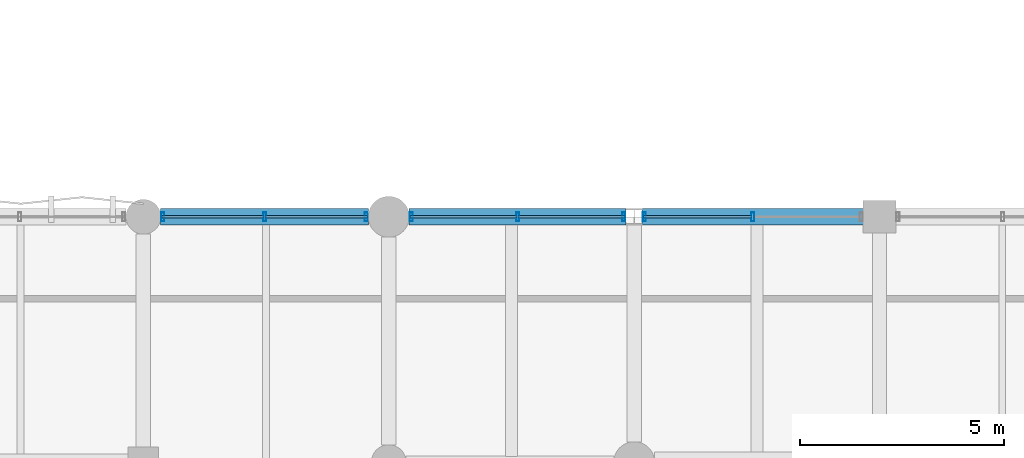
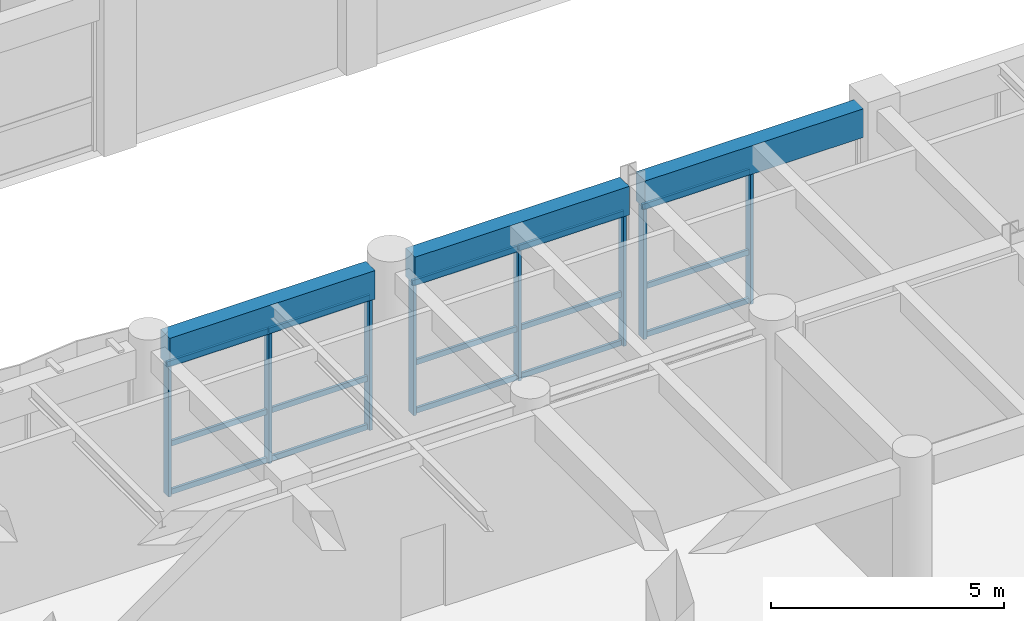
# One storey, part 48 of 133: 23 members, 3 beams, 3 elements without a shape of their own.
"""IFC4 building model written with IfcOpenShell, lengths in metres."""

from ifc_helpers import new_model, si_unit, direction, frame, origin, origin_2d, place, context, subcontext, project, spatial, rectangle, hollow_rectangle, extrude, material, material_profile, profile_set, type_object, element, aggregate, save


model = new_model("IFC4")

# Units and contexts
model_context = context("Model", 3, precision=1e-05, world=origin(), true_north=direction((0.0, 1.0)))
body_context = subcontext(model_context, "Body", "Model", "MODEL_VIEW")
ifc_project = project(units=[si_unit("LENGTHUNIT", "METRE"), si_unit("AREAUNIT", "SQUARE_METRE"), si_unit("VOLUMEUNIT", "CUBIC_METRE"), si_unit("PLANEANGLEUNIT", "RADIAN"), si_unit("MASSUNIT", "GRAM", prefix="KILO"), si_unit("THERMODYNAMICTEMPERATUREUNIT", "KELVIN"), si_unit("POWERUNIT", "WATT")], contexts=[model_context])

# Site, building, storey
site_placement = place(None, origin())
site = spatial("IfcSite", under=ifc_project, at=site_placement, CompositionType="ELEMENT")
building_placement = place(site_placement, origin())
building = spatial("IfcBuilding", under=site, at=building_placement, Name="Phaisarnlok Congress Hotel", CompositionType="ELEMENT")
storey_placement = place(building_placement, frame((0.0, 0.0, 6.0)))
storey = spatial("IfcBuildingStorey", under=building, at=storey_placement, Name="L01", CompositionType="ELEMENT", Elevation=6.0)

# Curtain wall, members
ifc_material_1 = material(Name="Thermally Broken Unitised Aluminium & Low-E Glazing", Category="aluminium")
curtain_wall_type_1 = type_object("IfcCurtainWallType", Name="CW-UNIT-14", PredefinedType="NOTDEFINED", material=ifc_material_1)
curtain_wall_1_placement = place(storey_placement, origin())
curtain_wall_1 = element("IfcCurtainWall", 1, at=curtain_wall_1_placement, inside=storey, type_object=curtain_wall_type_1, Name="Unitised curtain wall CW-14 (L01)", PredefinedType="NOTDEFINED")
ifc_material_2 = material(Name="Anodised Aluminium Alloy 6063-T6", Category="aluminium")
ifc_material_profile_1 = material_profile(ifc_material_2, hollow_rectangle(XDim=0.074951171875, YDim=0.219970703125, WallThickness=0.0048828125, at=origin_2d()), Name="ALU-M 75x220x5")
ifc_profile_set_1 = profile_set([ifc_material_profile_1], Name="Anodised Aluminium Alloy 6063-T6")
member_type_1 = type_object("IfcMemberType", Name="CWM-220", PredefinedType="MULLION", material=ifc_profile_set_1)
member_1_placement = place(storey_placement, frame((110.900146484375, 96.0, 0.0), z_axis=(0.0, 0.0, 1.0), x_axis=(-1.0, 0.0, 0.0)))
member_1 = element("IfcMember", 2, at=member_1_placement, type_object=member_type_1, Name="Curtain wall mullion CWM-02", PredefinedType="MULLION", context=body_context, shape_type="SweptSolid", body=[
    extrude(hollow_rectangle(XDim=0.074951171875, YDim=0.219970703125, WallThickness=0.0048828125, at=origin_2d()), origin(), (0.0, 0.0, 1.0), 3.469970703125),
])
member_2_placement = place(storey_placement, frame((108.25048828125, 96.0, 0.0), z_axis=(0.0, 0.0, 1.0), x_axis=(-1.0, 0.0, 0.0)))
member_2 = element("IfcMember", 3, at=member_2_placement, type_object=member_type_1, Name="Curtain wall mullion CWM-02", PredefinedType="MULLION", context=body_context, shape_type="SweptSolid", body=[
    extrude(hollow_rectangle(XDim=0.074951171875, YDim=0.219970703125, WallThickness=0.0048828125, at=origin_2d()), origin(), (0.0, 0.0, 1.0), 3.469970703125),
])

curtain_wall_type_2 = type_object("IfcCurtainWallType", Name="CW-UNIT-13", PredefinedType="NOTDEFINED", material=ifc_material_1)
curtain_wall_2_placement = place(storey_placement, origin())
curtain_wall_2 = element("IfcCurtainWall", 4, at=curtain_wall_2_placement, inside=storey, type_object=curtain_wall_type_2, Name="Unitised curtain wall CW-13 (L01)", PredefinedType="NOTDEFINED")
member_3_placement = place(storey_placement, frame((107.74951171875, 96.0, 0.0), z_axis=(0.0, 0.0, 1.0), x_axis=(-1.0, 0.0, 0.0)))
member_3 = element("IfcMember", 5, at=member_3_placement, type_object=member_type_1, Name="Curtain wall mullion CWM-02", PredefinedType="MULLION", context=body_context, shape_type="SweptSolid", body=[
    extrude(hollow_rectangle(XDim=0.074951171875, YDim=0.219970703125, WallThickness=0.0048828125, at=origin_2d()), origin(), (0.0, 0.0, 1.0), 3.469970703125),
])
member_4_placement = place(storey_placement, frame((105.149658203125, 96.0, 0.0), z_axis=(0.0, 0.0, 1.0), x_axis=(-1.0, 0.0, 0.0)))
member_4 = element("IfcMember", 6, at=member_4_placement, type_object=member_type_1, Name="Curtain wall mullion CWM-02", PredefinedType="MULLION", context=body_context, shape_type="SweptSolid", body=[
    extrude(hollow_rectangle(XDim=0.074951171875, YDim=0.219970703125, WallThickness=0.0048828125, at=origin_2d()), origin(), (0.0, 0.0, 1.0), 3.469970703125),
])
member_5_placement = place(storey_placement, frame((102.550048828125, 96.0, 0.0), z_axis=(0.0, 0.0, 1.0), x_axis=(-1.0, 0.0, 0.0)))
member_5 = element("IfcMember", 7, at=member_5_placement, type_object=member_type_1, Name="Curtain wall mullion CWM-02", PredefinedType="MULLION", context=body_context, shape_type="SweptSolid", body=[
    extrude(hollow_rectangle(XDim=0.074951171875, YDim=0.219970703125, WallThickness=0.0048828125, at=origin_2d()), origin(), (0.0, 0.0, 1.0), 3.469970703125),
])

curtain_wall_type_3 = type_object("IfcCurtainWallType", Name="CW-UNIT-12", PredefinedType="NOTDEFINED", material=ifc_material_1)
curtain_wall_3_placement = place(storey_placement, origin())
curtain_wall_3 = element("IfcCurtainWall", 8, at=curtain_wall_3_placement, inside=storey, type_object=curtain_wall_type_3, Name="Unitised curtain wall CW-12 (L01)", PredefinedType="NOTDEFINED")
member_6_placement = place(storey_placement, frame((101.449951171875, 96.0, 0.0), z_axis=(0.0, 0.0, 1.0), x_axis=(-1.0, 0.0, 0.0)))
member_6 = element("IfcMember", 9, at=member_6_placement, type_object=member_type_1, Name="Curtain wall mullion CWM-02", PredefinedType="MULLION", context=body_context, shape_type="SweptSolid", body=[
    extrude(hollow_rectangle(XDim=0.074951171875, YDim=0.219970703125, WallThickness=0.0048828125, at=origin_2d()), origin(), (0.0, 0.0, 1.0), 3.469970703125),
])
member_7_placement = place(storey_placement, frame((98.96240234375, 96.0, 0.0), z_axis=(0.0, 0.0, 1.0), x_axis=(-1.0, 0.0, 0.0)))
member_7 = element("IfcMember", 10, at=member_7_placement, type_object=member_type_1, Name="Curtain wall mullion CWM-02", PredefinedType="MULLION", context=body_context, shape_type="SweptSolid", body=[
    extrude(hollow_rectangle(XDim=0.074951171875, YDim=0.219970703125, WallThickness=0.0048828125, at=origin_2d()), origin(), (0.0, 0.0, 1.0), 3.469970703125),
])
member_8_placement = place(storey_placement, frame((96.47509765625, 96.0, 0.0), z_axis=(0.0, 0.0, 1.0), x_axis=(-1.0, 0.0, 0.0)))
member_8 = element("IfcMember", 11, at=member_8_placement, type_object=member_type_1, Name="Curtain wall mullion CWM-02", PredefinedType="MULLION", context=body_context, shape_type="SweptSolid", body=[
    extrude(hollow_rectangle(XDim=0.074951171875, YDim=0.219970703125, WallThickness=0.0048828125, at=origin_2d()), origin(), (0.0, 0.0, 1.0), 3.469970703125),
])

# Member
ifc_material_profile_2 = material_profile(ifc_material_2, hollow_rectangle(XDim=0.06494140625, YDim=0.139892578125, WallThickness=0.00390625, at=origin_2d()), Name="ALU-T 65x140x4")
ifc_profile_set_2 = profile_set([ifc_material_profile_2], Name="Anodised Aluminium Alloy 6063-T6")
member_type_2 = type_object("IfcMemberType", Name="CWT-150", PredefinedType="USERDEFINED", material=ifc_profile_set_2)
member_9_placement = place(storey_placement, frame((110.88525390625, 96.0, 0.050048828125), z_axis=(-1.0, 0.0, 0.0), x_axis=(0.0, -1.0, 0.0)))
member_9 = element("IfcMember", 12, at=member_9_placement, type_object=member_type_2, Name="Curtain wall transom CWT-01", ObjectType="TRANSOM", PredefinedType="USERDEFINED", context=body_context, shape_type="SweptSolid", body=[
    extrude(hollow_rectangle(XDim=0.06494140625, YDim=0.139892578125, WallThickness=0.00390625, at=origin_2d()), origin(), (0.0, 0.0, 1.0), 2.65966796875),
])

member_10_placement = place(storey_placement, frame((110.88525390625, 96.0, 1.318603515625), z_axis=(-1.0, 0.0, 0.0), x_axis=(0.0, -1.0, 0.0)))
member_10 = element("IfcMember", 13, at=member_10_placement, type_object=member_type_2, Name="Curtain wall transom CWT-01", ObjectType="TRANSOM", PredefinedType="USERDEFINED", context=body_context, shape_type="SweptSolid", body=[
    extrude(hollow_rectangle(XDim=0.06494140625, YDim=0.139892578125, WallThickness=0.00390625, at=origin_2d()), origin(), (0.0, 0.0, 1.0), 2.65966796875),
])

member_11_placement = place(storey_placement, frame((110.88525390625, 96.0, 3.419921875), z_axis=(-1.0, 0.0, 0.0), x_axis=(0.0, -1.0, 0.0)))
member_11 = element("IfcMember", 14, at=member_11_placement, type_object=member_type_2, Name="Curtain wall transom CWT-01", ObjectType="TRANSOM", PredefinedType="USERDEFINED", context=body_context, shape_type="SweptSolid", body=[
    extrude(hollow_rectangle(XDim=0.06494140625, YDim=0.139892578125, WallThickness=0.00390625, at=origin_2d()), origin(), (0.0, 0.0, 1.0), 2.65966796875),
])

aggregate(curtain_wall_1, [member_1, member_2, member_9, member_10, member_11])

member_12_placement = place(storey_placement, frame((107.7744140625, 96.0, 0.050048828125), z_axis=(-1.0, 0.0, 0.0), x_axis=(0.0, -1.0, 0.0)))
member_12 = element("IfcMember", 15, at=member_12_placement, type_object=member_type_2, Name="Curtain wall transom CWT-01", ObjectType="TRANSOM", PredefinedType="USERDEFINED", context=body_context, shape_type="SweptSolid", body=[
    extrude(hollow_rectangle(XDim=0.06494140625, YDim=0.139892578125, WallThickness=0.00390625, at=origin_2d()), origin(), (0.0, 0.0, 1.0), 2.609619140625),
])

member_13_placement = place(storey_placement, frame((107.7744140625, 96.0, 1.318603515625), z_axis=(-1.0, 0.0, 0.0), x_axis=(0.0, -1.0, 0.0)))
member_13 = element("IfcMember", 16, at=member_13_placement, type_object=member_type_2, Name="Curtain wall transom CWT-01", ObjectType="TRANSOM", PredefinedType="USERDEFINED", context=body_context, shape_type="SweptSolid", body=[
    extrude(hollow_rectangle(XDim=0.06494140625, YDim=0.139892578125, WallThickness=0.00390625, at=origin_2d()), origin(), (0.0, 0.0, 1.0), 2.609619140625),
])

member_14_placement = place(storey_placement, frame((107.7744140625, 96.0, 3.419921875), z_axis=(-1.0, 0.0, 0.0), x_axis=(0.0, -1.0, 0.0)))
member_14 = element("IfcMember", 17, at=member_14_placement, type_object=member_type_2, Name="Curtain wall transom CWT-01", ObjectType="TRANSOM", PredefinedType="USERDEFINED", context=body_context, shape_type="SweptSolid", body=[
    extrude(hollow_rectangle(XDim=0.06494140625, YDim=0.139892578125, WallThickness=0.00390625, at=origin_2d()), origin(), (0.0, 0.0, 1.0), 2.609619140625),
])

member_15_placement = place(storey_placement, frame((105.134765625, 96.0, 0.050048828125), z_axis=(-1.0, 0.0, 0.0), x_axis=(0.0, -1.0, 0.0)))
member_15 = element("IfcMember", 18, at=member_15_placement, type_object=member_type_2, Name="Curtain wall transom CWT-01", ObjectType="TRANSOM", PredefinedType="USERDEFINED", context=body_context, shape_type="SweptSolid", body=[
    extrude(hollow_rectangle(XDim=0.06494140625, YDim=0.139892578125, WallThickness=0.00390625, at=origin_2d()), origin(), (0.0, 0.0, 1.0), 2.60986328125),
])

member_16_placement = place(storey_placement, frame((105.134765625, 96.0, 1.318603515625), z_axis=(-1.0, 0.0, 0.0), x_axis=(0.0, -1.0, 0.0)))
member_16 = element("IfcMember", 19, at=member_16_placement, type_object=member_type_2, Name="Curtain wall transom CWT-01", ObjectType="TRANSOM", PredefinedType="USERDEFINED", context=body_context, shape_type="SweptSolid", body=[
    extrude(hollow_rectangle(XDim=0.06494140625, YDim=0.139892578125, WallThickness=0.00390625, at=origin_2d()), origin(), (0.0, 0.0, 1.0), 2.60986328125),
])

member_17_placement = place(storey_placement, frame((105.134765625, 96.0, 3.419921875), z_axis=(-1.0, 0.0, 0.0), x_axis=(0.0, -1.0, 0.0)))
member_17 = element("IfcMember", 20, at=member_17_placement, type_object=member_type_2, Name="Curtain wall transom CWT-01", ObjectType="TRANSOM", PredefinedType="USERDEFINED", context=body_context, shape_type="SweptSolid", body=[
    extrude(hollow_rectangle(XDim=0.06494140625, YDim=0.139892578125, WallThickness=0.00390625, at=origin_2d()), origin(), (0.0, 0.0, 1.0), 2.60986328125),
])

aggregate(curtain_wall_2, [member_3, member_4, member_5, member_12, member_13, member_14, member_15, member_16, member_17])

member_18_placement = place(storey_placement, frame((101.47509765625, 96.0, 0.050048828125), z_axis=(-1.0, 0.0, 0.0), x_axis=(0.0, -1.0, 0.0)))
member_18 = element("IfcMember", 21, at=member_18_placement, type_object=member_type_2, Name="Curtain wall transom CWT-01", ObjectType="TRANSOM", PredefinedType="USERDEFINED", context=body_context, shape_type="SweptSolid", body=[
    extrude(hollow_rectangle(XDim=0.06494140625, YDim=0.139892578125, WallThickness=0.00390625, at=origin_2d()), origin(), (0.0, 0.0, 1.0), 2.49755859375),
])

member_19_placement = place(storey_placement, frame((101.47509765625, 96.0, 1.318603515625), z_axis=(-1.0, 0.0, 0.0), x_axis=(0.0, -1.0, 0.0)))
member_19 = element("IfcMember", 22, at=member_19_placement, type_object=member_type_2, Name="Curtain wall transom CWT-01", ObjectType="TRANSOM", PredefinedType="USERDEFINED", context=body_context, shape_type="SweptSolid", body=[
    extrude(hollow_rectangle(XDim=0.06494140625, YDim=0.139892578125, WallThickness=0.00390625, at=origin_2d()), origin(), (0.0, 0.0, 1.0), 2.49755859375),
])

member_20_placement = place(storey_placement, frame((101.47509765625, 96.0, 3.419921875), z_axis=(-1.0, 0.0, 0.0), x_axis=(0.0, -1.0, 0.0)))
member_20 = element("IfcMember", 23, at=member_20_placement, type_object=member_type_2, Name="Curtain wall transom CWT-01", ObjectType="TRANSOM", PredefinedType="USERDEFINED", context=body_context, shape_type="SweptSolid", body=[
    extrude(hollow_rectangle(XDim=0.06494140625, YDim=0.139892578125, WallThickness=0.00390625, at=origin_2d()), origin(), (0.0, 0.0, 1.0), 2.49755859375),
])

member_21_placement = place(storey_placement, frame((98.947509765625, 96.0, 0.050048828125), z_axis=(-1.0, 0.0, 0.0), x_axis=(0.0, -1.0, 0.0)))
member_21 = element("IfcMember", 24, at=member_21_placement, type_object=member_type_2, Name="Curtain wall transom CWT-01", ObjectType="TRANSOM", PredefinedType="USERDEFINED", context=body_context, shape_type="SweptSolid", body=[
    extrude(hollow_rectangle(XDim=0.06494140625, YDim=0.139892578125, WallThickness=0.00390625, at=origin_2d()), origin(), (0.0, 0.0, 1.0), 2.49755859375),
])

member_22_placement = place(storey_placement, frame((98.947509765625, 96.0, 1.318603515625), z_axis=(-1.0, 0.0, 0.0), x_axis=(0.0, -1.0, 0.0)))
member_22 = element("IfcMember", 25, at=member_22_placement, type_object=member_type_2, Name="Curtain wall transom CWT-01", ObjectType="TRANSOM", PredefinedType="USERDEFINED", context=body_context, shape_type="SweptSolid", body=[
    extrude(hollow_rectangle(XDim=0.06494140625, YDim=0.139892578125, WallThickness=0.00390625, at=origin_2d()), origin(), (0.0, 0.0, 1.0), 2.49755859375),
])

member_23_placement = place(storey_placement, frame((98.947509765625, 96.0, 3.419921875), z_axis=(-1.0, 0.0, 0.0), x_axis=(0.0, -1.0, 0.0)))
member_23 = element("IfcMember", 26, at=member_23_placement, type_object=member_type_2, Name="Curtain wall transom CWT-01", ObjectType="TRANSOM", PredefinedType="USERDEFINED", context=body_context, shape_type="SweptSolid", body=[
    extrude(hollow_rectangle(XDim=0.06494140625, YDim=0.139892578125, WallThickness=0.00390625, at=origin_2d()), origin(), (0.0, 0.0, 1.0), 2.49755859375),
])

aggregate(curtain_wall_3, [member_6, member_7, member_8, member_18, member_19, member_20, member_21, member_22, member_23])

# Beams
ifc_material_3 = material(Name="Concrete C40/50", Category="concrete")
ifc_material_profile_3 = material_profile(ifc_material_3, rectangle(XDim=0.39990234375, YDim=0.75, at=origin_2d()), Name="RC 400x750")
ifc_profile_set_3 = profile_set([ifc_material_profile_3], Name="Concrete C40/50")
beam_type = type_object("IfcBeamType", Name="SP-RC-400x750", PredefinedType="SPANDREL", material=ifc_profile_set_3)
beam_1_placement = place(storey_placement, frame((96.419921875, 96.0, 3.844970703125), z_axis=(1.0, 0.0, 0.0), x_axis=(0.0, 1.0, 0.0)))
element("IfcBeam", 27, at=beam_1_placement, inside=storey, type_object=beam_type, Name="Beam SP-02", PredefinedType="SPANDREL", context=body_context, shape_type="SweptSolid", body=[
    extrude(rectangle(XDim=0.39990234375, YDim=0.75, at=origin_2d()), origin(), (0.0, 0.0, 1.0), 5.0849609375),
])
beam_2_placement = place(storey_placement, frame((102.4951171875, 96.0, 3.844970703125), z_axis=(1.0, 0.0, 0.0), x_axis=(0.0, 1.0, 0.0)))
element("IfcBeam", 28, at=beam_2_placement, inside=storey, type_object=beam_type, Name="Beam SP-02", PredefinedType="SPANDREL", context=body_context, shape_type="SweptSolid", body=[
    extrude(rectangle(XDim=0.39990234375, YDim=0.75, at=origin_2d()), origin(), (0.0, 0.0, 1.0), 5.309326171875),
])
beam_3_placement = place(storey_placement, frame((108.195556640625, 96.0, 3.844970703125), z_axis=(1.0, 0.0, 0.0), x_axis=(0.0, 1.0, 0.0)))
element("IfcBeam", 29, at=beam_3_placement, inside=storey, type_object=beam_type, Name="Beam SP-02", PredefinedType="SPANDREL", context=body_context, shape_type="SweptSolid", body=[
    extrude(rectangle(XDim=0.39990234375, YDim=0.75, at=origin_2d()), origin(), (0.0, 0.0, 1.0), 5.409423828125),
])

save(model, "model.ifc")
